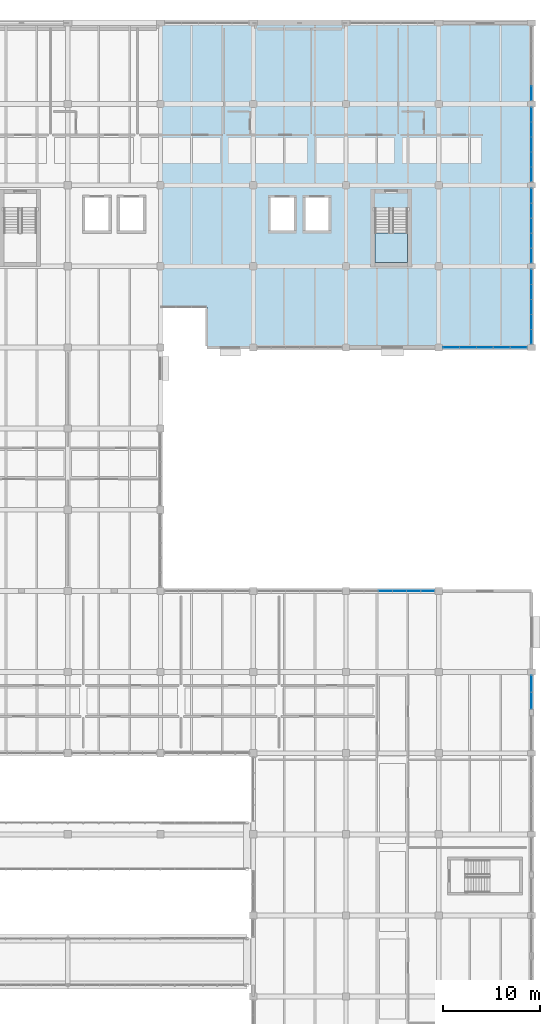
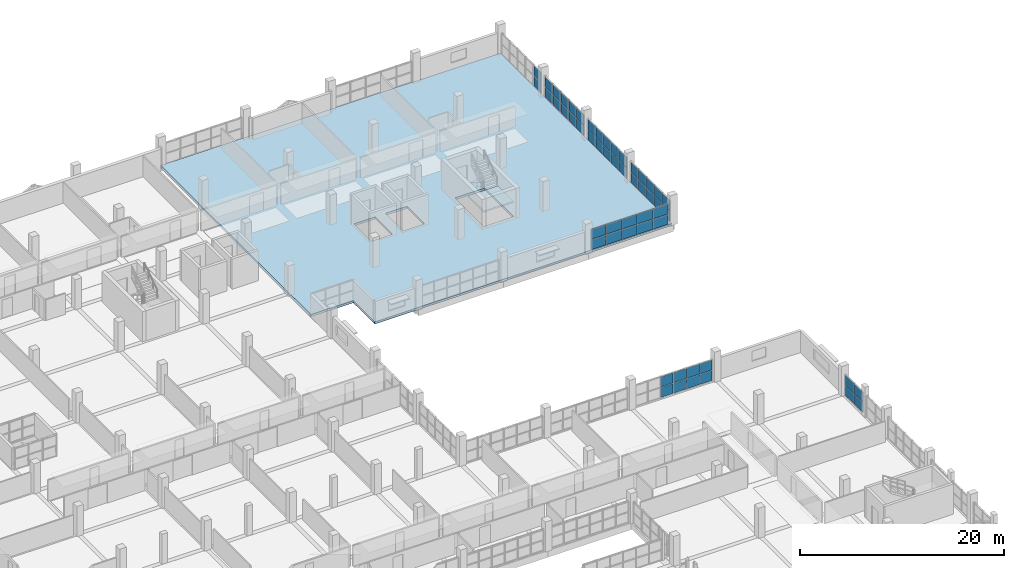
# One storey, part 107 of 147: 54 plates, 2 slabs, 8 elements without a shape of their own.
"""IFC4 building model written with IfcOpenShell, lengths in metres."""

import ifcopenshell
import ifcopenshell.guid

model = None  # the IFC model being written
_history = None  # IfcOwnerHistory: only IFC2X3 demands one
_inside = {}  # id of a spatial element -> (the spatial element, [elements in it])
_under = {}  # id of a project, library or spatial element -> (it, [spatial elements below it])
_declared = {}  # id of a project -> (the project, [libraries it declares])
_typed = {}  # id of a type object -> (the type object, [elements of that type])
_made_of = {}  # id of a material, layer set ... -> (it, [elements and type objects made of it])


def new_model(schema):
    """Start an empty IFC model of exactly this schema.

    Asked for "IFC4X3", IfcOpenShell would pick the latest addendum, in which some entities
    have other attributes; the version numbers below select the first issue.
    IFC2X3 requires an IfcOwnerHistory on every rooted entity: one is made here for all.
    """
    global model, _history
    if schema == "IFC4X3":
        model = ifcopenshell.file(schema_version=(4, 3, 0, 0))
    else:
        model = ifcopenshell.file(schema=schema)
    _inside.clear()
    _under.clear()
    _declared.clear()
    _typed.clear()
    _made_of.clear()
    _history = None
    if model.schema == "IFC2X3":
        org = make("IfcOrganization", Name="unknown")
        user = make(
            "IfcPersonAndOrganization",
            ThePerson=make("IfcPerson", FamilyName="unknown"),
            TheOrganization=org,
        )
        app = make(
            "IfcApplication",
            ApplicationDeveloper=org,
            Version="unknown",
            ApplicationFullName="unknown",
            ApplicationIdentifier="unknown",
        )
        _history = make(
            "IfcOwnerHistory",
            OwningUser=user,
            OwningApplication=app,
            ChangeAction="ADDED",
            CreationDate=0,
        )
    return model


def make(cls, **values):
    """One entity of the class cls with the attributes given. An attribute that is None is left unset."""
    return model.create_entity(
        cls, **{name: value for name, value in values.items() if value is not None}
    )


def rooted(cls, **values):
    """An entity with a GlobalId (a new one), such as an element, a storey or a relation."""
    return make(cls, GlobalId=ifcopenshell.guid.new(), OwnerHistory=_history, **values)


def si_unit(unit_type, name, prefix=None):
    """IfcSIUnit, for example si_unit("LENGTHUNIT", "METRE", prefix="MILLI")."""
    return make("IfcSIUnit", UnitType=unit_type, Prefix=prefix, Name=name)


def assignment(units):
    """IfcUnitAssignment: the units of a project."""
    return None if units is None else make("IfcUnitAssignment", Units=units)


def point(xyz):
    """IfcCartesianPoint."""
    return None if xyz is None else make("IfcCartesianPoint", Coordinates=xyz)


def direction(xyz):
    """IfcDirection."""
    return None if xyz is None else make("IfcDirection", DirectionRatios=xyz)


def frame(location, z_axis=None, x_axis=None):
    """IfcAxis2Placement3D, a coordinate frame: its origin and axes. An axis left out is left unset."""
    return make(
        "IfcAxis2Placement3D",
        Location=point(location),
        Axis=direction(z_axis),
        RefDirection=direction(x_axis),
    )


def frame_2d(location, x_axis=None):
    """IfcAxis2Placement2D, a coordinate frame in the plane: its origin and x axis."""
    return make(
        "IfcAxis2Placement2D", Location=point(location), RefDirection=direction(x_axis)
    )


def origin():
    """The frame at (0, 0, 0) with its axes left unset."""
    return frame((0.0, 0.0, 0.0))


def origin_2d():
    """The frame at (0, 0) in the plane with its x axis left unset."""
    return frame_2d((0.0, 0.0))


def place(relative_to, where):
    """IfcLocalPlacement: puts the frame where relative to a parent placement (None: the world)."""
    return make(
        "IfcLocalPlacement", PlacementRelTo=relative_to, RelativePlacement=where
    )


def context(
    kind, dimensions, precision=None, world=None, true_north=None, identifier=None
):
    """IfcGeometricRepresentationContext, for example the 3D "Model" context."""
    return make(
        "IfcGeometricRepresentationContext",
        ContextIdentifier=identifier,
        ContextType=kind,
        CoordinateSpaceDimension=dimensions,
        Precision=precision,
        WorldCoordinateSystem=world,
        TrueNorth=true_north,
    )


def subcontext(parent, identifier, kind, view, scale=None):
    """IfcGeometricRepresentationSubContext, for example "Body" below "Model"."""
    return make(
        "IfcGeometricRepresentationSubContext",
        ContextIdentifier=identifier,
        ContextType=kind,
        ParentContext=parent,
        TargetScale=scale,
        TargetView=view,
    )


def project(units=None, contexts=None):
    """IfcProject with its units and contexts."""
    return rooted(
        "IfcProject",
        Name="project",
        RepresentationContexts=contexts,
        UnitsInContext=assignment(units),
    )


def spatial(cls, under=None, at=None, **own):
    """A site, building, storey or space (cls), placed at a placement, below another one or the project."""
    s = rooted(cls, ObjectPlacement=at, **own)
    if under is not None:
        _under.setdefault(under.id(), (under, []))[1].append(s)
    return s


def polyline(points):
    """IfcPolyline through the points."""
    return make("IfcPolyline", Points=[point(p) for p in points])


def profile(cls, at=None, kind="AREA", **sizes):
    """A parametric profile (cls). Its sizes go by their IFC names, for example OverallWidth=200.0."""
    return make(cls, ProfileType=kind, Position=at, **sizes)


def rectangle(**sizes):
    """IfcRectangleProfileDef."""
    return profile("IfcRectangleProfileDef", **sizes)


def outline(outer, holes=None, kind="AREA"):
    """IfcArbitraryClosedProfileDef: a profile drawn as a closed curve; with holes, ...WithVoids."""
    if holes is None:
        return make("IfcArbitraryClosedProfileDef", ProfileType=kind, OuterCurve=outer)
    return make(
        "IfcArbitraryProfileDefWithVoids",
        ProfileType=kind,
        OuterCurve=outer,
        InnerCurves=holes,
    )


def extrude(swept, where, along, depth):
    """IfcExtrudedAreaSolid: the profile swept, set in the frame where, extruded along a direction by depth."""
    return make(
        "IfcExtrudedAreaSolid",
        SweptArea=swept,
        Position=where,
        ExtrudedDirection=direction(along),
        Depth=depth,
    )


def shape(context_of_items, identifier, shape_type, items):
    """IfcShapeRepresentation: the items that make up one representation, for example the "Body"."""
    return make(
        "IfcShapeRepresentation",
        ContextOfItems=context_of_items,
        RepresentationIdentifier=identifier,
        RepresentationType=shape_type,
        Items=items,
    )


def material(Name=None, Category=None):
    """IfcMaterial."""
    return make("IfcMaterial", Name=Name, Category=Category)


def layer(
    of_material, thickness, ventilated=None, Name=None, Category=None, Priority=None
):
    """IfcMaterialLayer: one layer of a wall or slab, of a material (None: an air gap)."""
    return make(
        "IfcMaterialLayer",
        Material=of_material,
        LayerThickness=thickness,
        IsVentilated=ventilated,
        Name=Name,
        Category=Category,
        Priority=Priority,
    )


def layer_set(layers, Name=None):
    """IfcMaterialLayerSet."""
    return make("IfcMaterialLayerSet", MaterialLayers=layers, LayerSetName=Name)


def made_of(thing, what):
    """Note that an element or type object is made of a material, layer set ...; save() writes the relation."""
    if what is not None:
        _made_of.setdefault(what.id(), (what, []))[1].append(thing)
    return thing


def type_object(cls, material=None, **own):
    """A type object (cls), such as IfcWallType, which elements share."""
    return made_of(rooted(cls, **own), material)


def element(
    cls,
    number,
    at=None,
    inside=None,
    cuts=None,
    type_object=None,
    material=None,
    context=None,
    identifier="Body",
    shape_type=None,
    held_by="IfcProductDefinitionShape",
    body=None,
    shapes=None,
    **own,
):
    """One element of the class cls, such as IfcWall. Its Tag is "e" and its number.

    at: its placement. inside: the storey or other place that contains it. cuts: it is an
    opening in that element (IfcRelVoidsElement). A single representation is given by context,
    identifier, shape_type and body (its items); several are given by shapes. held_by: the class
    of the entity that holds the representations. save() writes the other relations.
    """
    e = rooted(cls, Tag="e%d" % number, ObjectPlacement=at, **own)
    if body is not None:
        shapes = [shape(context, identifier, shape_type, body)]
    if shapes is not None:
        e.Representation = make(held_by, Representations=shapes)
    if inside is not None:
        _inside.setdefault(inside.id(), (inside, []))[1].append(e)
    if cuts is not None:
        rooted(
            "IfcRelVoidsElement", RelatingBuildingElement=cuts, RelatedOpeningElement=e
        )
    if type_object is not None:
        _typed.setdefault(type_object.id(), (type_object, []))[1].append(e)
    return made_of(e, material)


def aggregate(whole, parts):
    """IfcRelAggregates: a whole, such as a stair, and the parts it consists of."""
    return rooted("IfcRelAggregates", RelatingObject=whole, RelatedObjects=parts)


def save(model, path):
    """Write the relations noted so far, then the file.

    IfcRelAggregates (storeys below a building ...), IfcRelContainedInSpatialStructure (elements
    in a storey), IfcRelDefinesByType, IfcRelAssociatesMaterial and IfcRelDeclares: one each for
    every whole, place, type object, material and project.
    """
    for whole, parts in _under.values():
        aggregate(whole, parts)
    for where, things in _inside.values():
        rooted(
            "IfcRelContainedInSpatialStructure",
            RelatedElements=things,
            RelatingStructure=where,
        )
    for kind, things in _typed.values():
        rooted("IfcRelDefinesByType", RelatedObjects=things, RelatingType=kind)
    for what, things in _made_of.values():
        rooted("IfcRelAssociatesMaterial", RelatedObjects=things, RelatingMaterial=what)
    for by, libraries in _declared.values():
        rooted("IfcRelDeclares", RelatingContext=by, RelatedDefinitions=libraries)
    model.write(path)


model = new_model("IFC4")

# Units and contexts
model_context = context("Model", 3, precision=1e-05, world=origin(), true_north=direction((0.0, 1.0)))
body_context = subcontext(model_context, "Body", "Model", "MODEL_VIEW")
ifc_project = project(units=[si_unit("LENGTHUNIT", "METRE"), si_unit("AREAUNIT", "SQUARE_METRE"), si_unit("VOLUMEUNIT", "CUBIC_METRE"), si_unit("PLANEANGLEUNIT", "RADIAN"), si_unit("MASSUNIT", "GRAM", prefix="KILO")], contexts=[model_context])

# Site, building, storey
site_placement = place(None, origin())
site = spatial("IfcSite", under=ifc_project, at=site_placement, CompositionType="ELEMENT")
building_placement = place(site_placement, origin())
building = spatial("IfcBuilding", under=site, at=building_placement, Name="Oolite Switchyard Hospital", CompositionType="ELEMENT")
storey_placement = place(building_placement, frame((0.0, 0.0, 9.89990234375)))
storey = spatial("IfcBuildingStorey", under=building, at=storey_placement, Name="L02", CompositionType="ELEMENT", Elevation=9.89990234375)

# Curtain wall, plates
ifc_material_1 = material(Name="Thermally broken aluminum frame with laminated impact glazing", Category="aluminium")
curtain_wall_type_1 = type_object("IfcCurtainWallType", Name="CW-UNIT-96X36", PredefinedType="USERDEFINED", material=ifc_material_1)
curtain_wall_1_placement = place(storey_placement, origin())
curtain_wall_1 = element("IfcCurtainWall", 1, at=curtain_wall_1_placement, inside=storey, type_object=curtain_wall_type_1, Name="L02 Unitised Curtain Wall 248", ObjectType="UNITISED", PredefinedType="USERDEFINED")
ifc_material_2 = material(Name="Insulated fluoropolymer-coated aluminum spandrel panel", Category="aluminium")
ifc_layer_1 = layer(ifc_material_2, 0.054931640625)
ifc_layer_set_1 = layer_set([ifc_layer_1], Name="CW-PNL-SPN55")
plate_type_1 = type_object("IfcPlateType", Name="CW-PNL-SPN55", PredefinedType="CURTAIN_PANEL", material=ifc_layer_set_1)
plate_1_placement = place(storey_placement, frame((196.06494140625, 75.60009765625, 0.06005859375), z_axis=(0.0, 0.0, 1.0), x_axis=(1.0, 0.0, 0.0)))
plate_1 = element("IfcPlate", 2, at=plate_1_placement, type_object=plate_type_1, Name="CW-03 panel 3.1", PredefinedType="CURTAIN_PANEL", context=body_context, shape_type="SweptSolid", body=[
    extrude(rectangle(XDim=1.39990234375, YDim=0.054931640625, at=origin_2d()), origin(), (0.0, 0.0, 1.0), 1.195068359375),
])
plate_2_placement = place(storey_placement, frame((196.06494140625, 75.60009765625, 1.31494140625), z_axis=(0.0, 0.0, 1.0), x_axis=(1.0, 0.0, 0.0)))
plate_2 = element("IfcPlate", 3, at=plate_2_placement, type_object=plate_type_1, Name="CW-03 panel 3.2", PredefinedType="CURTAIN_PANEL", context=body_context, shape_type="SweptSolid", body=[
    extrude(rectangle(XDim=1.39990234375, YDim=0.054931640625, at=origin_2d()), origin(), (0.0, 0.0, 1.0), 1.195068359375),
])
plate_3_placement = place(storey_placement, frame((197.534912109375, 75.60009765625, 0.06005859375), z_axis=(0.0, 0.0, 1.0), x_axis=(1.0, 0.0, 0.0)))
plate_3 = element("IfcPlate", 4, at=plate_3_placement, type_object=plate_type_1, Name="CW-03 panel 4.1", PredefinedType="CURTAIN_PANEL", context=body_context, shape_type="SweptSolid", body=[
    extrude(rectangle(XDim=1.39990234375, YDim=0.054931640625, at=origin_2d()), origin(), (0.0, 0.0, 1.0), 1.195068359375),
])
plate_4_placement = place(storey_placement, frame((197.534912109375, 75.60009765625, 1.31494140625), z_axis=(0.0, 0.0, 1.0), x_axis=(1.0, 0.0, 0.0)))
plate_4 = element("IfcPlate", 5, at=plate_4_placement, type_object=plate_type_1, Name="CW-03 panel 4.2", PredefinedType="CURTAIN_PANEL", context=body_context, shape_type="SweptSolid", body=[
    extrude(rectangle(XDim=1.39990234375, YDim=0.054931640625, at=origin_2d()), origin(), (0.0, 0.0, 1.0), 1.195068359375),
])
plate_5_placement = place(storey_placement, frame((199.0048828125, 75.60009765625, 0.06005859375), z_axis=(0.0, 0.0, 1.0), x_axis=(1.0, 0.0, 0.0)))
plate_5 = element("IfcPlate", 6, at=plate_5_placement, type_object=plate_type_1, Name="CW-03 panel 5.1", PredefinedType="CURTAIN_PANEL", context=body_context, shape_type="SweptSolid", body=[
    extrude(rectangle(XDim=1.39990234375, YDim=0.054931640625, at=origin_2d()), origin(), (0.0, 0.0, 1.0), 1.195068359375),
])
plate_6_placement = place(storey_placement, frame((199.0048828125, 75.60009765625, 1.31494140625), z_axis=(0.0, 0.0, 1.0), x_axis=(1.0, 0.0, 0.0)))
plate_6 = element("IfcPlate", 7, at=plate_6_placement, type_object=plate_type_1, Name="CW-03 panel 5.2", PredefinedType="CURTAIN_PANEL", context=body_context, shape_type="SweptSolid", body=[
    extrude(rectangle(XDim=1.39990234375, YDim=0.054931640625, at=origin_2d()), origin(), (0.0, 0.0, 1.0), 1.195068359375),
])
plate_7_placement = place(storey_placement, frame((200.45751953125, 75.60009765625, 0.06005859375), z_axis=(0.0, 0.0, 1.0), x_axis=(1.0, 0.0, 0.0)))
plate_7 = element("IfcPlate", 8, at=plate_7_placement, type_object=plate_type_1, Name="CW-03 panel 6.1", PredefinedType="CURTAIN_PANEL", context=body_context, shape_type="SweptSolid", body=[
    extrude(rectangle(XDim=1.364990234375, YDim=0.054931640625, at=origin_2d()), origin(), (0.0, 0.0, 1.0), 1.195068359375),
])
plate_8_placement = place(storey_placement, frame((200.45751953125, 75.60009765625, 1.31494140625), z_axis=(0.0, 0.0, 1.0), x_axis=(1.0, 0.0, 0.0)))
plate_8 = element("IfcPlate", 9, at=plate_8_placement, type_object=plate_type_1, Name="CW-03 panel 6.2", PredefinedType="CURTAIN_PANEL", context=body_context, shape_type="SweptSolid", body=[
    extrude(rectangle(XDim=1.364990234375, YDim=0.054931640625, at=origin_2d()), origin(), (0.0, 0.0, 1.0), 1.195068359375),
])
aggregate(curtain_wall_1, [plate_1, plate_2, plate_3, plate_4, plate_5, plate_6, plate_7, plate_8])

curtain_wall_type_2 = type_object("IfcCurtainWallType", Name="CW-UNIT-84X36", PredefinedType="USERDEFINED", material=ifc_material_1)
curtain_wall_2_placement = place(storey_placement, origin())
curtain_wall_2 = element("IfcCurtainWall", 10, at=curtain_wall_2_placement, inside=storey, type_object=curtain_wall_type_2, Name="L02 Unitised Curtain Wall 324", ObjectType="UNITISED", PredefinedType="USERDEFINED")
plate_9_placement = place(storey_placement, frame((211.199951171875, 116.4892578125, 0.06005859375), z_axis=(0.0, 0.0, 1.0), x_axis=(0.0, -1.0, 0.0)))
plate_9 = element("IfcPlate", 11, at=plate_9_placement, type_object=plate_type_1, Name="CW-08 panel 1.1", PredefinedType="CURTAIN_PANEL", context=body_context, shape_type="SweptSolid", body=[
    extrude(rectangle(XDim=1.44140625, YDim=0.054931640625, at=origin_2d()), origin(), (0.0, 0.0, 1.0), 1.195068359375),
])
plate_10_placement = place(storey_placement, frame((211.199951171875, 116.4892578125, 1.31494140625), z_axis=(0.0, 0.0, 1.0), x_axis=(0.0, -1.0, 0.0)))
plate_10 = element("IfcPlate", 12, at=plate_10_placement, type_object=plate_type_1, Name="CW-08 panel 1.2", PredefinedType="CURTAIN_PANEL", context=body_context, shape_type="SweptSolid", body=[
    extrude(rectangle(XDim=1.44140625, YDim=0.054931640625, at=origin_2d()), origin(), (0.0, 0.0, 1.0), 1.195068359375),
])
plate_11_placement = place(storey_placement, frame((211.199951171875, 114.9541015625, 0.06005859375), z_axis=(0.0, 0.0, 1.0), x_axis=(0.0, -1.0, 0.0)))
plate_11 = element("IfcPlate", 13, at=plate_11_placement, type_object=plate_type_1, Name="CW-08 panel 2.1", PredefinedType="CURTAIN_PANEL", context=body_context, shape_type="SweptSolid", body=[
    extrude(rectangle(XDim=1.47900390625, YDim=0.054931640625, at=origin_2d()), origin(), (0.0, 0.0, 1.0), 1.195068359375),
])
plate_12_placement = place(storey_placement, frame((211.199951171875, 114.9541015625, 1.31494140625), z_axis=(0.0, 0.0, 1.0), x_axis=(0.0, -1.0, 0.0)))
plate_12 = element("IfcPlate", 14, at=plate_12_placement, type_object=plate_type_1, Name="CW-08 panel 2.2", PredefinedType="CURTAIN_PANEL", context=body_context, shape_type="SweptSolid", body=[
    extrude(rectangle(XDim=1.47900390625, YDim=0.054931640625, at=origin_2d()), origin(), (0.0, 0.0, 1.0), 1.195068359375),
])
plate_13_placement = place(storey_placement, frame((211.199951171875, 113.39990234375, 0.06005859375), z_axis=(0.0, 0.0, 1.0), x_axis=(0.0, -1.0, 0.0)))
plate_13 = element("IfcPlate", 15, at=plate_13_placement, type_object=plate_type_1, Name="CW-08 panel 3.1", PredefinedType="CURTAIN_PANEL", context=body_context, shape_type="SweptSolid", body=[
    extrude(rectangle(XDim=1.47900390625, YDim=0.054931640625, at=origin_2d()), origin(), (0.0, 0.0, 1.0), 1.195068359375),
])
plate_14_placement = place(storey_placement, frame((211.199951171875, 113.39990234375, 1.31494140625), z_axis=(0.0, 0.0, 1.0), x_axis=(0.0, -1.0, 0.0)))
plate_14 = element("IfcPlate", 16, at=plate_14_placement, type_object=plate_type_1, Name="CW-08 panel 3.2", PredefinedType="CURTAIN_PANEL", context=body_context, shape_type="SweptSolid", body=[
    extrude(rectangle(XDim=1.47900390625, YDim=0.054931640625, at=origin_2d()), origin(), (0.0, 0.0, 1.0), 1.195068359375),
])
plate_15_placement = place(storey_placement, frame((211.199951171875, 111.845947265625, 0.06005859375), z_axis=(0.0, 0.0, 1.0), x_axis=(0.0, -1.0, 0.0)))
plate_15 = element("IfcPlate", 17, at=plate_15_placement, type_object=plate_type_1, Name="CW-08 panel 4.1", PredefinedType="CURTAIN_PANEL", context=body_context, shape_type="SweptSolid", body=[
    extrude(rectangle(XDim=1.47900390625, YDim=0.054931640625, at=origin_2d()), origin(), (0.0, 0.0, 1.0), 1.195068359375),
])
plate_16_placement = place(storey_placement, frame((211.199951171875, 111.845947265625, 1.31494140625), z_axis=(0.0, 0.0, 1.0), x_axis=(0.0, -1.0, 0.0)))
plate_16 = element("IfcPlate", 18, at=plate_16_placement, type_object=plate_type_1, Name="CW-08 panel 4.2", PredefinedType="CURTAIN_PANEL", context=body_context, shape_type="SweptSolid", body=[
    extrude(rectangle(XDim=1.47900390625, YDim=0.054931640625, at=origin_2d()), origin(), (0.0, 0.0, 1.0), 1.195068359375),
])
plate_17_placement = place(storey_placement, frame((211.199951171875, 110.310791015625, 0.06005859375), z_axis=(0.0, 0.0, 1.0), x_axis=(0.0, -1.0, 0.0)))
plate_17 = element("IfcPlate", 19, at=plate_17_placement, type_object=plate_type_1, Name="CW-08 panel 5.1", PredefinedType="CURTAIN_PANEL", context=body_context, shape_type="SweptSolid", body=[
    extrude(rectangle(XDim=1.44140625, YDim=0.054931640625, at=origin_2d()), origin(), (0.0, 0.0, 1.0), 1.195068359375),
])
plate_18_placement = place(storey_placement, frame((211.199951171875, 110.310791015625, 1.31494140625), z_axis=(0.0, 0.0, 1.0), x_axis=(0.0, -1.0, 0.0)))
plate_18 = element("IfcPlate", 20, at=plate_18_placement, type_object=plate_type_1, Name="CW-08 panel 5.2", PredefinedType="CURTAIN_PANEL", context=body_context, shape_type="SweptSolid", body=[
    extrude(rectangle(XDim=1.44140625, YDim=0.054931640625, at=origin_2d()), origin(), (0.0, 0.0, 1.0), 1.195068359375),
])
aggregate(curtain_wall_2, [plate_9, plate_10, plate_11, plate_12, plate_13, plate_14, plate_15, plate_16, plate_17, plate_18])

curtain_wall_3_placement = place(storey_placement, origin())
curtain_wall_3 = element("IfcCurtainWall", 21, at=curtain_wall_3_placement, inside=storey, type_object=curtain_wall_type_2, Name="L02 Unitised Curtain Wall 315", ObjectType="UNITISED", PredefinedType="USERDEFINED")
ifc_layer_2 = layer(ifc_material_2, 0.070068359375)
ifc_layer_set_2 = layer_set([ifc_layer_2], Name="CW-PNL-SPN70")
plate_type_2 = type_object("IfcPlateType", Name="CW-PNL-SPN70", PredefinedType="CURTAIN_PANEL", material=ifc_layer_set_2)
plate_19_placement = place(storey_placement, frame((211.199951171875, 65.97998046875, 0.0751953125), z_axis=(0.0, 0.0, 1.0), x_axis=(0.0, -1.0, 0.0)))
plate_19 = element("IfcPlate", 22, at=plate_19_placement, type_object=plate_type_2, Name="CW-08 panel 1.1", PredefinedType="CURTAIN_PANEL", context=body_context, shape_type="SweptSolid", body=[
    extrude(rectangle(XDim=1.659912109375, YDim=0.070068359375, at=origin_2d()), origin(), (0.0, 0.0, 1.0), 1.172607421875),
])
plate_20_placement = place(storey_placement, frame((211.199951171875, 65.97998046875, 1.32275390625), z_axis=(0.0, 0.0, 1.0), x_axis=(0.0, -1.0, 0.0)))
plate_20 = element("IfcPlate", 23, at=plate_20_placement, type_object=plate_type_2, Name="CW-08 panel 1.2", PredefinedType="CURTAIN_PANEL", context=body_context, shape_type="SweptSolid", body=[
    extrude(rectangle(XDim=1.659912109375, YDim=0.070068359375, at=origin_2d()), origin(), (0.0, 0.0, 1.0), 1.172607421875),
])
plate_21_placement = place(storey_placement, frame((211.199951171875, 64.2451171875, 0.0751953125), z_axis=(0.0, 0.0, 1.0), x_axis=(0.0, -1.0, 0.0)))
plate_21 = element("IfcPlate", 24, at=plate_21_placement, type_object=plate_type_2, Name="CW-08 panel 2.1", PredefinedType="CURTAIN_PANEL", context=body_context, shape_type="SweptSolid", body=[
    extrude(rectangle(XDim=1.659912109375, YDim=0.070068359375, at=origin_2d()), origin(), (0.0, 0.0, 1.0), 1.172607421875),
])
plate_22_placement = place(storey_placement, frame((211.199951171875, 64.2451171875, 1.32275390625), z_axis=(0.0, 0.0, 1.0), x_axis=(0.0, -1.0, 0.0)))
plate_22 = element("IfcPlate", 25, at=plate_22_placement, type_object=plate_type_2, Name="CW-08 panel 2.2", PredefinedType="CURTAIN_PANEL", context=body_context, shape_type="SweptSolid", body=[
    extrude(rectangle(XDim=1.659912109375, YDim=0.070068359375, at=origin_2d()), origin(), (0.0, 0.0, 1.0), 1.172607421875),
])
aggregate(curtain_wall_3, [plate_19, plate_20, plate_21, plate_22])

curtain_wall_4_placement = place(storey_placement, origin())
curtain_wall_4 = element("IfcCurtainWall", 26, at=curtain_wall_4_placement, inside=storey, type_object=curtain_wall_type_2, Name="L02 Unitised Curtain Wall 325", ObjectType="UNITISED", PredefinedType="USERDEFINED")
plate_23_placement = place(storey_placement, frame((211.199951171875, 108.093017578125, 0.0751953125), z_axis=(0.0, 0.0, 1.0), x_axis=(0.0, -1.0, 0.0)))
plate_23 = element("IfcPlate", 27, at=plate_23_placement, type_object=plate_type_2, Name="CW-08 panel 1.1", PredefinedType="CURTAIN_PANEL", context=body_context, shape_type="SweptSolid", body=[
    extrude(rectangle(XDim=1.464111328125, YDim=0.070068359375, at=origin_2d()), origin(), (0.0, 0.0, 1.0), 1.172607421875),
])
plate_24_placement = place(storey_placement, frame((211.199951171875, 108.093017578125, 1.32275390625), z_axis=(0.0, 0.0, 1.0), x_axis=(0.0, -1.0, 0.0)))
plate_24 = element("IfcPlate", 28, at=plate_24_placement, type_object=plate_type_2, Name="CW-08 panel 1.2", PredefinedType="CURTAIN_PANEL", context=body_context, shape_type="SweptSolid", body=[
    extrude(rectangle(XDim=1.464111328125, YDim=0.070068359375, at=origin_2d()), origin(), (0.0, 0.0, 1.0), 1.172607421875),
])
plate_25_placement = place(storey_placement, frame((211.199951171875, 106.553955078125, 0.0751953125), z_axis=(0.0, 0.0, 1.0), x_axis=(0.0, -1.0, 0.0)))
plate_25 = element("IfcPlate", 29, at=plate_25_placement, type_object=plate_type_2, Name="CW-08 panel 2.1", PredefinedType="CURTAIN_PANEL", context=body_context, shape_type="SweptSolid", body=[
    extrude(rectangle(XDim=1.493896484375, YDim=0.070068359375, at=origin_2d()), origin(), (0.0, 0.0, 1.0), 1.172607421875),
])
plate_26_placement = place(storey_placement, frame((211.199951171875, 106.553955078125, 1.32275390625), z_axis=(0.0, 0.0, 1.0), x_axis=(0.0, -1.0, 0.0)))
plate_26 = element("IfcPlate", 30, at=plate_26_placement, type_object=plate_type_2, Name="CW-08 panel 2.2", PredefinedType="CURTAIN_PANEL", context=body_context, shape_type="SweptSolid", body=[
    extrude(rectangle(XDim=1.493896484375, YDim=0.070068359375, at=origin_2d()), origin(), (0.0, 0.0, 1.0), 1.172607421875),
])
plate_27_placement = place(storey_placement, frame((211.199951171875, 105.0, 0.0751953125), z_axis=(0.0, 0.0, 1.0), x_axis=(0.0, -1.0, 0.0)))
plate_27 = element("IfcPlate", 31, at=plate_27_placement, type_object=plate_type_2, Name="CW-08 panel 3.1", PredefinedType="CURTAIN_PANEL", context=body_context, shape_type="SweptSolid", body=[
    extrude(rectangle(XDim=1.493896484375, YDim=0.070068359375, at=origin_2d()), origin(), (0.0, 0.0, 1.0), 1.172607421875),
])
plate_28_placement = place(storey_placement, frame((211.199951171875, 105.0, 1.32275390625), z_axis=(0.0, 0.0, 1.0), x_axis=(0.0, -1.0, 0.0)))
plate_28 = element("IfcPlate", 32, at=plate_28_placement, type_object=plate_type_2, Name="CW-08 panel 3.2", PredefinedType="CURTAIN_PANEL", context=body_context, shape_type="SweptSolid", body=[
    extrude(rectangle(XDim=1.493896484375, YDim=0.070068359375, at=origin_2d()), origin(), (0.0, 0.0, 1.0), 1.172607421875),
])
plate_29_placement = place(storey_placement, frame((211.199951171875, 103.446044921875, 0.0751953125), z_axis=(0.0, 0.0, 1.0), x_axis=(0.0, -1.0, 0.0)))
plate_29 = element("IfcPlate", 33, at=plate_29_placement, type_object=plate_type_2, Name="CW-08 panel 4.1", PredefinedType="CURTAIN_PANEL", context=body_context, shape_type="SweptSolid", body=[
    extrude(rectangle(XDim=1.493896484375, YDim=0.070068359375, at=origin_2d()), origin(), (0.0, 0.0, 1.0), 1.172607421875),
])
plate_30_placement = place(storey_placement, frame((211.199951171875, 103.446044921875, 1.32275390625), z_axis=(0.0, 0.0, 1.0), x_axis=(0.0, -1.0, 0.0)))
plate_30 = element("IfcPlate", 34, at=plate_30_placement, type_object=plate_type_2, Name="CW-08 panel 4.2", PredefinedType="CURTAIN_PANEL", context=body_context, shape_type="SweptSolid", body=[
    extrude(rectangle(XDim=1.493896484375, YDim=0.070068359375, at=origin_2d()), origin(), (0.0, 0.0, 1.0), 1.172607421875),
])
plate_31_placement = place(storey_placement, frame((211.199951171875, 101.906982421875, 0.0751953125), z_axis=(0.0, 0.0, 1.0), x_axis=(0.0, -1.0, 0.0)))
plate_31 = element("IfcPlate", 35, at=plate_31_placement, type_object=plate_type_2, Name="CW-08 panel 5.1", PredefinedType="CURTAIN_PANEL", context=body_context, shape_type="SweptSolid", body=[
    extrude(rectangle(XDim=1.464111328125, YDim=0.070068359375, at=origin_2d()), origin(), (0.0, 0.0, 1.0), 1.172607421875),
])
plate_32_placement = place(storey_placement, frame((211.199951171875, 101.906982421875, 1.32275390625), z_axis=(0.0, 0.0, 1.0), x_axis=(0.0, -1.0, 0.0)))
plate_32 = element("IfcPlate", 36, at=plate_32_placement, type_object=plate_type_2, Name="CW-08 panel 5.2", PredefinedType="CURTAIN_PANEL", context=body_context, shape_type="SweptSolid", body=[
    extrude(rectangle(XDim=1.464111328125, YDim=0.070068359375, at=origin_2d()), origin(), (0.0, 0.0, 1.0), 1.172607421875),
])
aggregate(curtain_wall_4, [plate_23, plate_24, plate_25, plate_26, plate_27, plate_28, plate_29, plate_30, plate_31, plate_32])

curtain_wall_5_placement = place(storey_placement, origin())
curtain_wall_5 = element("IfcCurtainWall", 37, at=curtain_wall_5_placement, inside=storey, type_object=curtain_wall_type_2, Name="L02 Unitised Curtain Wall 322", ObjectType="UNITISED", PredefinedType="USERDEFINED")
ifc_material_3 = material(Name="Laminated hurricane-impact insulated glazing unit", Category="glass")
ifc_layer_3 = layer(ifc_material_3, 0.035888671875)
ifc_layer_set_3 = layer_set([ifc_layer_3], Name="CW-PNL-VIS36")
plate_type_3 = type_object("IfcPlateType", Name="CW-PNL-VIS36", PredefinedType="CURTAIN_PANEL", material=ifc_layer_set_3)
plate_33_placement = place(storey_placement, frame((211.199951171875, 127.10693359375, 0.06005859375), z_axis=(0.0, 0.0, 1.0), x_axis=(0.0, -1.0, 0.0)))
plate_33 = element("IfcPlate", 38, at=plate_33_placement, type_object=plate_type_3, Name="CW-08 panel 5.1", PredefinedType="CURTAIN_PANEL", context=body_context, shape_type="SweptSolid", body=[
    extrude(rectangle(XDim=1.464111328125, YDim=0.035888671875, at=origin_2d()), origin(), (0.0, 0.0, 1.0), 1.195068359375),
])
plate_34_placement = place(storey_placement, frame((211.199951171875, 127.10693359375, 1.31494140625), z_axis=(0.0, 0.0, 1.0), x_axis=(0.0, -1.0, 0.0)))
plate_34 = element("IfcPlate", 39, at=plate_34_placement, type_object=plate_type_3, Name="CW-08 panel 5.2", PredefinedType="CURTAIN_PANEL", context=body_context, shape_type="SweptSolid", body=[
    extrude(rectangle(XDim=1.464111328125, YDim=0.035888671875, at=origin_2d()), origin(), (0.0, 0.0, 1.0), 1.195068359375),
])
aggregate(curtain_wall_5, [plate_33, plate_34])

curtain_wall_6_placement = place(storey_placement, origin())
curtain_wall_6 = element("IfcCurtainWall", 40, at=curtain_wall_6_placement, inside=storey, type_object=curtain_wall_type_1, Name="L02 Unitised Curtain Wall 261", ObjectType="UNITISED", PredefinedType="USERDEFINED")
ifc_layer_4 = layer(ifc_material_3, 0.0419921875)
ifc_layer_set_4 = layer_set([ifc_layer_4], Name="CW-PNL-VIS42")
plate_type_4 = type_object("IfcPlateType", Name="CW-PNL-VIS42", PredefinedType="CURTAIN_PANEL", material=ifc_layer_set_4)
plate_35_placement = place(storey_placement, frame((209.8642578125, 100.800048828125, 0.0751953125), z_axis=(0.0, 0.0, 1.0), x_axis=(-1.0, 0.0, 0.0)))
plate_35 = element("IfcPlate", 41, at=plate_35_placement, type_object=plate_type_4, Name="CW-03 panel 1.1", PredefinedType="CURTAIN_PANEL", context=body_context, shape_type="SweptSolid", body=[
    extrude(rectangle(XDim=1.6416015625, YDim=0.0419921875, at=origin_2d()), origin(), (0.0, 0.0, 1.0), 1.172607421875),
])
plate_36_placement = place(storey_placement, frame((209.8642578125, 100.800048828125, 1.32275390625), z_axis=(0.0, 0.0, 1.0), x_axis=(-1.0, 0.0, 0.0)))
plate_36 = element("IfcPlate", 42, at=plate_36_placement, type_object=plate_type_4, Name="CW-03 panel 1.2", PredefinedType="CURTAIN_PANEL", context=body_context, shape_type="SweptSolid", body=[
    extrude(rectangle(XDim=1.6416015625, YDim=0.0419921875, at=origin_2d()), origin(), (0.0, 0.0, 1.0), 1.172607421875),
])
plate_37_placement = place(storey_placement, frame((208.12890625, 100.800048828125, 0.0751953125), z_axis=(0.0, 0.0, 1.0), x_axis=(-1.0, 0.0, 0.0)))
plate_37 = element("IfcPlate", 43, at=plate_37_placement, type_object=plate_type_4, Name="CW-03 panel 2.1", PredefinedType="CURTAIN_PANEL", context=body_context, shape_type="SweptSolid", body=[
    extrude(rectangle(XDim=1.678955078125, YDim=0.0419921875, at=origin_2d()), origin(), (0.0, 0.0, 1.0), 1.172607421875),
])
plate_38_placement = place(storey_placement, frame((208.12890625, 100.800048828125, 1.32275390625), z_axis=(0.0, 0.0, 1.0), x_axis=(-1.0, 0.0, 0.0)))
plate_38 = element("IfcPlate", 44, at=plate_38_placement, type_object=plate_type_4, Name="CW-03 panel 2.2", PredefinedType="CURTAIN_PANEL", context=body_context, shape_type="SweptSolid", body=[
    extrude(rectangle(XDim=1.678955078125, YDim=0.0419921875, at=origin_2d()), origin(), (0.0, 0.0, 1.0), 1.172607421875),
])
plate_39_placement = place(storey_placement, frame((206.375, 100.800048828125, 0.0751953125), z_axis=(0.0, 0.0, 1.0), x_axis=(-1.0, 0.0, 0.0)))
plate_39 = element("IfcPlate", 45, at=plate_39_placement, type_object=plate_type_4, Name="CW-03 panel 3.1", PredefinedType="CURTAIN_PANEL", context=body_context, shape_type="SweptSolid", body=[
    extrude(rectangle(XDim=1.678955078125, YDim=0.0419921875, at=origin_2d()), origin(), (0.0, 0.0, 1.0), 1.172607421875),
])
plate_40_placement = place(storey_placement, frame((206.375, 100.800048828125, 1.32275390625), z_axis=(0.0, 0.0, 1.0), x_axis=(-1.0, 0.0, 0.0)))
plate_40 = element("IfcPlate", 46, at=plate_40_placement, type_object=plate_type_4, Name="CW-03 panel 3.2", PredefinedType="CURTAIN_PANEL", context=body_context, shape_type="SweptSolid", body=[
    extrude(rectangle(XDim=1.678955078125, YDim=0.0419921875, at=origin_2d()), origin(), (0.0, 0.0, 1.0), 1.172607421875),
])
plate_41_placement = place(storey_placement, frame((204.62109375, 100.800048828125, 0.0751953125), z_axis=(0.0, 0.0, 1.0), x_axis=(-1.0, 0.0, 0.0)))
plate_41 = element("IfcPlate", 47, at=plate_41_placement, type_object=plate_type_4, Name="CW-03 panel 4.1", PredefinedType="CURTAIN_PANEL", context=body_context, shape_type="SweptSolid", body=[
    extrude(rectangle(XDim=1.678955078125, YDim=0.0419921875, at=origin_2d()), origin(), (0.0, 0.0, 1.0), 1.172607421875),
])
plate_42_placement = place(storey_placement, frame((204.62109375, 100.800048828125, 1.32275390625), z_axis=(0.0, 0.0, 1.0), x_axis=(-1.0, 0.0, 0.0)))
plate_42 = element("IfcPlate", 48, at=plate_42_placement, type_object=plate_type_4, Name="CW-03 panel 4.2", PredefinedType="CURTAIN_PANEL", context=body_context, shape_type="SweptSolid", body=[
    extrude(rectangle(XDim=1.678955078125, YDim=0.0419921875, at=origin_2d()), origin(), (0.0, 0.0, 1.0), 1.172607421875),
])
plate_43_placement = place(storey_placement, frame((202.8857421875, 100.800048828125, 0.0751953125), z_axis=(0.0, 0.0, 1.0), x_axis=(-1.0, 0.0, 0.0)))
plate_43 = element("IfcPlate", 49, at=plate_43_placement, type_object=plate_type_4, Name="CW-03 panel 5.1", PredefinedType="CURTAIN_PANEL", context=body_context, shape_type="SweptSolid", body=[
    extrude(rectangle(XDim=1.6416015625, YDim=0.0419921875, at=origin_2d()), origin(), (0.0, 0.0, 1.0), 1.172607421875),
])
plate_44_placement = place(storey_placement, frame((202.8857421875, 100.800048828125, 1.32275390625), z_axis=(0.0, 0.0, 1.0), x_axis=(-1.0, 0.0, 0.0)))
plate_44 = element("IfcPlate", 50, at=plate_44_placement, type_object=plate_type_4, Name="CW-03 panel 5.2", PredefinedType="CURTAIN_PANEL", context=body_context, shape_type="SweptSolid", body=[
    extrude(rectangle(XDim=1.6416015625, YDim=0.0419921875, at=origin_2d()), origin(), (0.0, 0.0, 1.0), 1.172607421875),
])
aggregate(curtain_wall_6, [plate_35, plate_36, plate_37, plate_38, plate_39, plate_40, plate_41, plate_42, plate_43, plate_44])

curtain_wall_7_placement = place(storey_placement, origin())
curtain_wall_7 = element("IfcCurtainWall", 51, at=curtain_wall_7_placement, inside=storey, type_object=curtain_wall_type_2, Name="L02 Unitised Curtain Wall 323", ObjectType="UNITISED", PredefinedType="USERDEFINED")
plate_45_placement = place(storey_placement, frame((211.199951171875, 124.890380859375, 0.0751953125), z_axis=(0.0, 0.0, 1.0), x_axis=(0.0, -1.0, 0.0)))
plate_45 = element("IfcPlate", 52, at=plate_45_placement, type_object=plate_type_4, Name="CW-08 panel 1.1", PredefinedType="CURTAIN_PANEL", context=body_context, shape_type="SweptSolid", body=[
    extrude(rectangle(XDim=1.448974609375, YDim=0.0419921875, at=origin_2d()), origin(), (0.0, 0.0, 1.0), 1.172607421875),
])
plate_46_placement = place(storey_placement, frame((211.199951171875, 124.890380859375, 1.32275390625), z_axis=(0.0, 0.0, 1.0), x_axis=(0.0, -1.0, 0.0)))
plate_46 = element("IfcPlate", 53, at=plate_46_placement, type_object=plate_type_4, Name="CW-08 panel 1.2", PredefinedType="CURTAIN_PANEL", context=body_context, shape_type="SweptSolid", body=[
    extrude(rectangle(XDim=1.448974609375, YDim=0.0419921875, at=origin_2d()), origin(), (0.0, 0.0, 1.0), 1.172607421875),
])
plate_47_placement = place(storey_placement, frame((211.199951171875, 123.35400390625, 0.0751953125), z_axis=(0.0, 0.0, 1.0), x_axis=(0.0, -1.0, 0.0)))
plate_47 = element("IfcPlate", 54, at=plate_47_placement, type_object=plate_type_4, Name="CW-08 panel 2.1", PredefinedType="CURTAIN_PANEL", context=body_context, shape_type="SweptSolid", body=[
    extrude(rectangle(XDim=1.48388671875, YDim=0.0419921875, at=origin_2d()), origin(), (0.0, 0.0, 1.0), 1.172607421875),
])
plate_48_placement = place(storey_placement, frame((211.199951171875, 123.35400390625, 1.32275390625), z_axis=(0.0, 0.0, 1.0), x_axis=(0.0, -1.0, 0.0)))
plate_48 = element("IfcPlate", 55, at=plate_48_placement, type_object=plate_type_4, Name="CW-08 panel 2.2", PredefinedType="CURTAIN_PANEL", context=body_context, shape_type="SweptSolid", body=[
    extrude(rectangle(XDim=1.48388671875, YDim=0.0419921875, at=origin_2d()), origin(), (0.0, 0.0, 1.0), 1.172607421875),
])
plate_49_placement = place(storey_placement, frame((211.199951171875, 121.800048828125, 0.0751953125), z_axis=(0.0, 0.0, 1.0), x_axis=(0.0, -1.0, 0.0)))
plate_49 = element("IfcPlate", 56, at=plate_49_placement, type_object=plate_type_4, Name="CW-08 panel 3.1", PredefinedType="CURTAIN_PANEL", context=body_context, shape_type="SweptSolid", body=[
    extrude(rectangle(XDim=1.48388671875, YDim=0.0419921875, at=origin_2d()), origin(), (0.0, 0.0, 1.0), 1.172607421875),
])
plate_50_placement = place(storey_placement, frame((211.199951171875, 121.800048828125, 1.32275390625), z_axis=(0.0, 0.0, 1.0), x_axis=(0.0, -1.0, 0.0)))
plate_50 = element("IfcPlate", 57, at=plate_50_placement, type_object=plate_type_4, Name="CW-08 panel 3.2", PredefinedType="CURTAIN_PANEL", context=body_context, shape_type="SweptSolid", body=[
    extrude(rectangle(XDim=1.48388671875, YDim=0.0419921875, at=origin_2d()), origin(), (0.0, 0.0, 1.0), 1.172607421875),
])
plate_51_placement = place(storey_placement, frame((211.199951171875, 120.24609375, 0.0751953125), z_axis=(0.0, 0.0, 1.0), x_axis=(0.0, -1.0, 0.0)))
plate_51 = element("IfcPlate", 58, at=plate_51_placement, type_object=plate_type_4, Name="CW-08 panel 4.1", PredefinedType="CURTAIN_PANEL", context=body_context, shape_type="SweptSolid", body=[
    extrude(rectangle(XDim=1.48388671875, YDim=0.0419921875, at=origin_2d()), origin(), (0.0, 0.0, 1.0), 1.172607421875),
])
plate_52_placement = place(storey_placement, frame((211.199951171875, 120.24609375, 1.32275390625), z_axis=(0.0, 0.0, 1.0), x_axis=(0.0, -1.0, 0.0)))
plate_52 = element("IfcPlate", 59, at=plate_52_placement, type_object=plate_type_4, Name="CW-08 panel 4.2", PredefinedType="CURTAIN_PANEL", context=body_context, shape_type="SweptSolid", body=[
    extrude(rectangle(XDim=1.48388671875, YDim=0.0419921875, at=origin_2d()), origin(), (0.0, 0.0, 1.0), 1.172607421875),
])
plate_53_placement = place(storey_placement, frame((211.199951171875, 118.70947265625, 0.0751953125), z_axis=(0.0, 0.0, 1.0), x_axis=(0.0, -1.0, 0.0)))
plate_53 = element("IfcPlate", 60, at=plate_53_placement, type_object=plate_type_4, Name="CW-08 panel 5.1", PredefinedType="CURTAIN_PANEL", context=body_context, shape_type="SweptSolid", body=[
    extrude(rectangle(XDim=1.448974609375, YDim=0.0419921875, at=origin_2d()), origin(), (0.0, 0.0, 1.0), 1.172607421875),
])
plate_54_placement = place(storey_placement, frame((211.199951171875, 118.70947265625, 1.32275390625), z_axis=(0.0, 0.0, 1.0), x_axis=(0.0, -1.0, 0.0)))
plate_54 = element("IfcPlate", 61, at=plate_54_placement, type_object=plate_type_4, Name="CW-08 panel 5.2", PredefinedType="CURTAIN_PANEL", context=body_context, shape_type="SweptSolid", body=[
    extrude(rectangle(XDim=1.448974609375, YDim=0.0419921875, at=origin_2d()), origin(), (0.0, 0.0, 1.0), 1.172607421875),
])
aggregate(curtain_wall_7, [plate_45, plate_46, plate_47, plate_48, plate_49, plate_50, plate_51, plate_52, plate_53, plate_54])

# Slab
ifc_material_4 = material(Name="Concrete C40/50", Category="concrete")
ifc_layer_5 = layer(ifc_material_4, 0.260009765625)
ifc_layer_set_5 = layer_set([ifc_layer_5], Name="SLB-INT-260")
slab_type_1 = type_object("IfcSlabType", Name="SLB-INT-260", PredefinedType="FLOOR", material=ifc_layer_set_5)
slab_1_placement = place(storey_placement, frame((0.0, 0.0, -0.260009765625)))
element("IfcSlab", 62, at=slab_1_placement, inside=storey, type_object=slab_type_1, Name="L02 V5E Slab V5E2", PredefinedType="FLOOR", context=body_context, shape_type="SweptSolid", body=[
    extrude(outline(polyline([(177.60009765625, 100.800048828125), (211.199951171875, 100.800048828125), (211.199951171875, 134.39990234375), (172.800048828125, 134.39990234375), (172.800048828125, 105.0), (177.60009765625, 105.0), (177.60009765625, 100.800048828125)]), holes=[polyline([(195.0, 115.18994140625), (195.0, 109.60009765625), (198.360107421875, 109.60009765625), (198.360107421875, 115.18994140625), (195.0, 115.18994140625)]), polyline([(184.199951171875, 112.89990234375), (186.60009765625, 112.89990234375), (186.60009765625, 116.300048828125), (184.199951171875, 116.300048828125), (184.199951171875, 112.89990234375)]), polyline([(187.800048828125, 112.89990234375), (190.199951171875, 112.89990234375), (190.199951171875, 116.300048828125), (187.800048828125, 116.300048828125), (187.800048828125, 112.89990234375)])]), origin(), (0.0, 0.0, 1.0), 0.260009765625),
])

# Stair, slab
stair_type = type_object("IfcStairType", Name="STR-DL-156-R20", PredefinedType="HALF_TURN_STAIR", material=ifc_material_4)
stair_placement = place(storey_placement, origin())
stair = element("IfcStair", 63, at=stair_placement, inside=storey, type_object=stair_type, Name="L02 Exit Stair ST-04", PredefinedType="HALF_TURN_STAIR")
ifc_layer_6 = layer(ifc_material_4, 0.199951171875)
ifc_layer_set_6 = layer_set([ifc_layer_6], Name="SLB-LND-200")
slab_type_2 = type_object("IfcSlabType", Name="SLB-LND-200", PredefinedType="LANDING", material=ifc_layer_set_6)
slab_2_placement = place(storey_placement, frame((0.0, 0.0, 1.60009765625)))
slab_2 = element("IfcSlab", 64, at=slab_2_placement, type_object=slab_type_2, Name="ST-04 landing 1", PredefinedType="LANDING", context=body_context, shape_type="SweptSolid", body=[
    extrude(outline(polyline([(195.0, 112.669921875), (195.0, 109.60009765625), (198.360107421875, 109.60009765625), (198.360107421875, 112.669921875), (195.0, 112.669921875)])), origin(), (0.0, 0.0, 1.0), 0.199951171875),
])
aggregate(stair, [slab_2])

save(model, "model.ifc")
